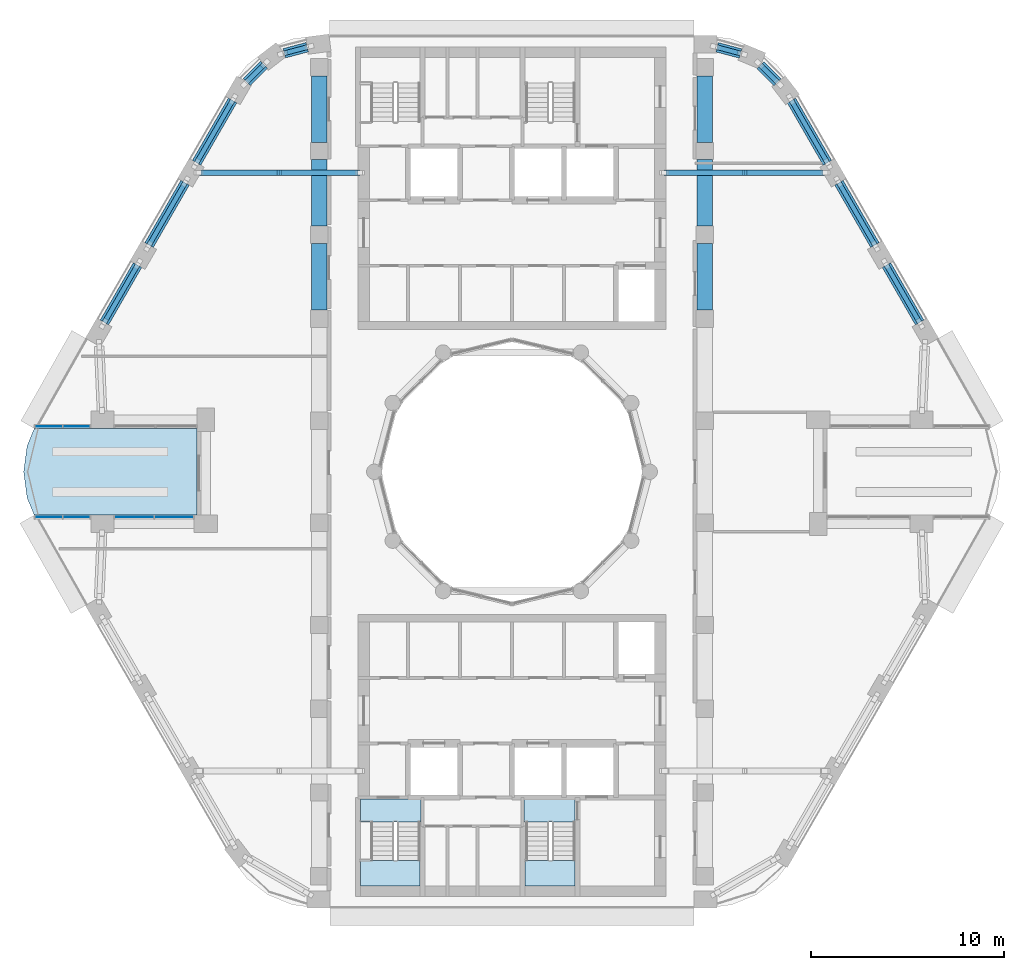
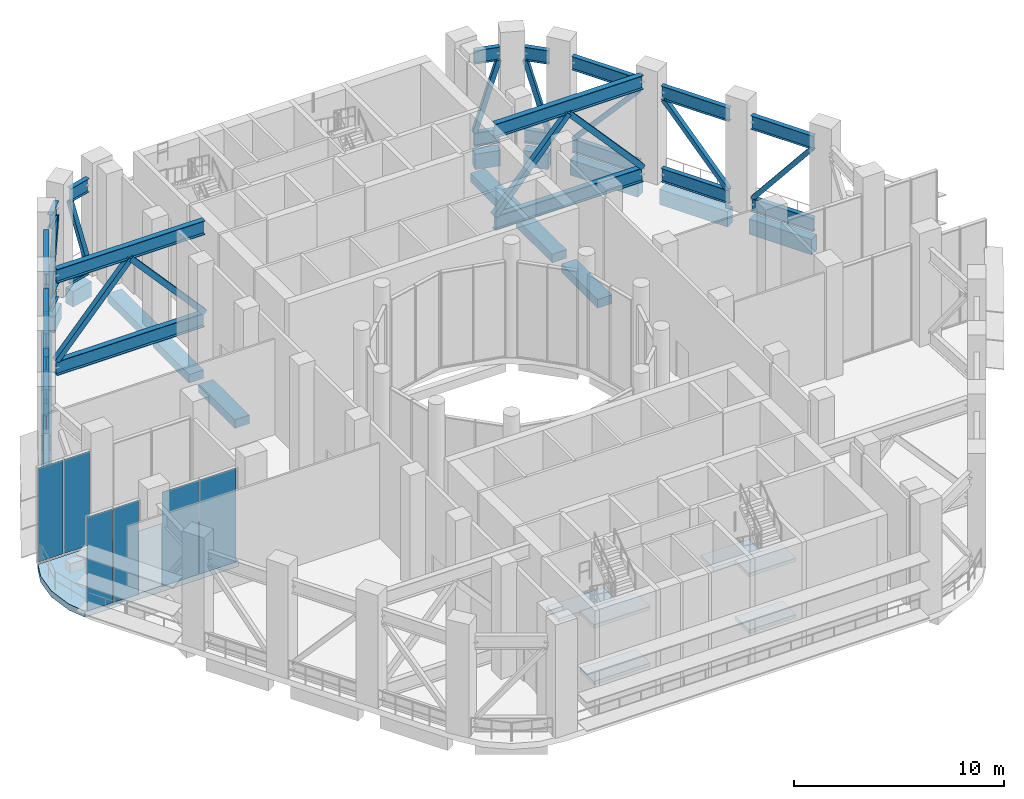
# One storey, part 6 of 19: 38 members, 16 beams, 7 slabs, 6 plates, 5 elements without a shape of their own.
"""IFC4 building model written with IfcOpenShell, lengths in metres."""

from ifc_helpers import new_model, si_unit, direction, frame, origin, origin_2d, place, context, subcontext, project, spatial, polyline, rectangle, hollow_rectangle, i_section, outline, extrude, material, layer, layer_set, material_profile, profile_set, type_object, element, aggregate, save


model = new_model("IFC4")

# Units and contexts
model_context = context("Model", 3, precision=1e-05, world=origin(), true_north=direction((0.0, 1.0)))
body_context = subcontext(model_context, "Body", "Model", "MODEL_VIEW")
ifc_project = project(units=[si_unit("LENGTHUNIT", "METRE"), si_unit("AREAUNIT", "SQUARE_METRE"), si_unit("VOLUMEUNIT", "CUBIC_METRE"), si_unit("PLANEANGLEUNIT", "RADIAN"), si_unit("MASSUNIT", "GRAM", prefix="KILO")], contexts=[model_context])

# Site, building, storey
site_placement = place(None, origin())
site = spatial("IfcSite", under=ifc_project, at=site_placement, CompositionType="ELEMENT")
building_placement = place(site_placement, origin())
building = spatial("IfcBuilding", under=site, at=building_placement, Name="Nakaniwa Court", CompositionType="ELEMENT")
storey_placement = place(building_placement, frame((0.0, 0.0, 219.60009765625)))
storey = spatial("IfcBuildingStorey", under=building, at=storey_placement, Name="S4", CompositionType="ELEMENT", Elevation=219.60009765625)

# Members
ifc_material_1 = material(Name="Steel Grade 350", Category="steel")
ifc_material_profile_1 = material_profile(ifc_material_1, i_section(OverallWidth=0.25, OverallDepth=0.7919921875, WebThickness=0.010009765625, FlangeThickness=0.01611328125, at=origin_2d()), Name="800WB122")
ifc_profile_set_1 = profile_set([ifc_material_profile_1], Name="Steel Grade 350")
member_type_1 = type_object("IfcMemberType", Name="BELT chord 800 WB122", PredefinedType="CHORD", material=ifc_profile_set_1)
for number, where, z_axis, x_axis, name in (
    (1, (69.3701171875, 102.044189453125, 0.39599609375), (-0.966320442624, -0.257341800272, 0.0), (0.257341800272, -0.966320442624, 0.0), "BELT CHORD BT-01-B"),
    (2, (69.3701171875, 102.044189453125, 5.19384765625), (-0.966320442624, -0.257341800272, 0.0), (0.257341800272, -0.966320442624, 0.0), "BELT CHORD BT-01-T"),
):
    element("IfcMember", number, at=place(storey_placement, frame(where, z_axis=z_axis, x_axis=x_axis)), inside=storey, type_object=member_type_1, Name=name, PredefinedType="CHORD", context=body_context, shape_type="SweptSolid", body=[
        extrude(i_section(OverallWidth=0.25, OverallDepth=0.7919921875, WebThickness=0.010009765625, FlangeThickness=0.01611328125, at=origin_2d()), origin(), (0.0, 0.0, 1.0), 1.2314453125),
    ])
for number, where, z_axis, x_axis, name in (
    (3, (67.124755859375, 101.131591796875, 0.39599609375), (-0.705943141011, -0.708268509578, 0.0), (0.708268509578, -0.705943141011, 0.0), "BELT CHORD BT-02-B"),
    (4, (67.124755859375, 101.131591796875, 5.19384765625), (-0.705943141011, -0.708268509578, 0.0), (0.708268509578, -0.705943141011, 0.0), "BELT CHORD BT-02-T"),
):
    element("IfcMember", number, at=place(storey_placement, frame(where, z_axis=z_axis, x_axis=x_axis)), inside=storey, type_object=member_type_1, Name=name, PredefinedType="CHORD", context=body_context, shape_type="SweptSolid", body=[
        extrude(i_section(OverallWidth=0.25, OverallDepth=0.7919921875, WebThickness=0.010009765625, FlangeThickness=0.01611328125, at=origin_2d()), origin(), (0.0, 0.0, 1.0), 1.259765625),
    ])
for number, where, z_axis, x_axis, name in (
    (5, (65.496826171875, 99.27978515625, 0.39599609375), (-0.499969460568, -0.866043035016, 0.0), (0.866043035016, -0.499969460568, 0.0), "BELT CHORD BT-03-B"),
    (6, (65.496826171875, 99.27978515625, 5.19384765625), (-0.499969460568, -0.866043035016, 0.0), (0.866043035016, -0.499969460568, 0.0), "BELT CHORD BT-03-T"),
    (7, (63.02880859375, 95.0048828125, 0.39599609375), (-0.500018470369, -0.866014739649, 0.0), (0.866014739649, -0.500018470369, 0.0), "BELT CHORD BT-04-B"),
    (8, (63.02880859375, 95.0048828125, 5.19384765625), (-0.500018470369, -0.866014739649, 0.0), (0.866014739649, -0.500018470369, 0.0), "BELT CHORD BT-04-T"),
):
    element("IfcMember", number, at=place(storey_placement, frame(where, z_axis=z_axis, x_axis=x_axis)), inside=storey, type_object=member_type_1, Name=name, PredefinedType="CHORD", context=body_context, shape_type="SweptSolid", body=[
        extrude(i_section(OverallWidth=0.25, OverallDepth=0.7919921875, WebThickness=0.010009765625, FlangeThickness=0.01611328125, at=origin_2d()), origin(), (0.0, 0.0, 1.0), 3.736083984375),
    ])
for number, where, z_axis, x_axis, name in (
    (9, (60.560791015625, 90.72998046875, 0.39599609375), (-0.500048133448, -0.865997612142, 0.0), (0.865997612142, -0.500048133448, 0.0), "BELT CHORD BT-05-B"),
    (10, (60.560791015625, 90.72998046875, 5.19384765625), (-0.500048133448, -0.865997612142, 0.0), (0.865997612142, -0.500048133448, 0.0), "BELT CHORD BT-05-T"),
    (11, (101.158935546875, 87.751708984375, 0.39599609375), (-0.500048133448, 0.865997612142, 0.0), (-0.865997612142, -0.500048133448, 0.0), "BELT CHORD BT-18-B"),
    (12, (101.158935546875, 87.751708984375, 5.19384765625), (-0.500048133448, 0.865997612142, 0.0), (-0.865997612142, -0.500048133448, 0.0), "BELT CHORD BT-18-T"),
):
    element("IfcMember", number, at=place(storey_placement, frame(where, z_axis=z_axis, x_axis=x_axis)), inside=storey, type_object=member_type_1, Name=name, PredefinedType="CHORD", context=body_context, shape_type="SweptSolid", body=[
        extrude(i_section(OverallWidth=0.25, OverallDepth=0.7919921875, WebThickness=0.010009765625, FlangeThickness=0.01611328125, at=origin_2d()), origin(), (0.0, 0.0, 1.0), 3.439208984375),
    ])
for number, where, z_axis, x_axis, name in (
    (13, (98.83935546875, 91.769287109375, 0.39599609375), (-0.500018470369, 0.866014739649, 0.0), (-0.866014739649, -0.500018470369, 0.0), "BELT CHORD BT-19-B"),
    (14, (98.83935546875, 91.769287109375, 5.19384765625), (-0.500018470369, 0.866014739649, 0.0), (-0.866014739649, -0.500018470369, 0.0), "BELT CHORD BT-19-T"),
):
    element("IfcMember", number, at=place(storey_placement, frame(where, z_axis=z_axis, x_axis=x_axis)), inside=storey, type_object=member_type_1, Name=name, PredefinedType="CHORD", context=body_context, shape_type="SweptSolid", body=[
        extrude(i_section(OverallWidth=0.25, OverallDepth=0.7919921875, WebThickness=0.010009765625, FlangeThickness=0.01611328125, at=origin_2d()), origin(), (0.0, 0.0, 1.0), 3.736083984375),
    ])
for number, where, z_axis, x_axis, name in (
    (15, (96.37109375, 96.044189453125, 0.39599609375), (-0.499988672538, 0.866031943599, 0.0), (-0.866031943599, -0.499988672538, 0.0), "BELT CHORD BT-20-B"),
    (16, (96.37109375, 96.044189453125, 5.19384765625), (-0.499988672538, 0.866031943599, 0.0), (-0.866031943599, -0.499988672538, 0.0), "BELT CHORD BT-20-T"),
):
    element("IfcMember", number, at=place(storey_placement, frame(where, z_axis=z_axis, x_axis=x_axis)), inside=storey, type_object=member_type_1, Name=name, PredefinedType="CHORD", context=body_context, shape_type="SweptSolid", body=[
        extrude(i_section(OverallWidth=0.25, OverallDepth=0.7919921875, WebThickness=0.010009765625, FlangeThickness=0.01611328125, at=origin_2d()), origin(), (0.0, 0.0, 1.0), 3.73095703125),
    ])
for number, where, z_axis, x_axis, name in (
    (17, (93.77587890625, 100.22802734375, 0.39599609375), (-0.705916034154, 0.708295526404, 0.0), (-0.708295526404, -0.705916034154, 0.0), "BELT CHORD BT-21-B"),
    (18, (93.77587890625, 100.22802734375, 5.19384765625), (-0.705916034154, 0.708295526404, 0.0), (-0.708295526404, -0.705916034154, 0.0), "BELT CHORD BT-21-T"),
):
    element("IfcMember", number, at=place(storey_placement, frame(where, z_axis=z_axis, x_axis=x_axis)), inside=storey, type_object=member_type_1, Name=name, PredefinedType="CHORD", context=body_context, shape_type="SweptSolid", body=[
        extrude(i_section(OverallWidth=0.25, OverallDepth=0.7919921875, WebThickness=0.010009765625, FlangeThickness=0.01611328125, at=origin_2d()), origin(), (0.0, 0.0, 1.0), 1.231201171875),
    ])
for number, where, z_axis, x_axis, name in (
    (19, (91.863037109375, 101.716064453125, 0.39599609375), (-0.966337757832, 0.257276772735, 0.0), (-0.257276772735, -0.966337757832, 0.0), "BELT CHORD BT-22-B"),
    (20, (91.863037109375, 101.716064453125, 5.19384765625), (-0.966337757832, 0.257276772735, 0.0), (-0.257276772735, -0.966337757832, 0.0), "BELT CHORD BT-22-T"),
):
    element("IfcMember", number, at=place(storey_placement, frame(where, z_axis=z_axis, x_axis=x_axis)), inside=storey, type_object=member_type_1, Name=name, PredefinedType="CHORD", context=body_context, shape_type="SweptSolid", body=[
        extrude(i_section(OverallWidth=0.25, OverallDepth=0.7919921875, WebThickness=0.010009765625, FlangeThickness=0.01611328125, at=origin_2d()), origin(), (0.0, 0.0, 1.0), 1.26025390625),
    ])
ifc_material_profile_2 = material_profile(ifc_material_1, hollow_rectangle(XDim=0.25, YDim=0.25, WallThickness=0.012451171875, at=origin_2d()), Name="BELT diagonal 250x250x12.5 SHS")
ifc_profile_set_2 = profile_set([ifc_material_profile_2], Name="Steel Grade 350")
member_type_2 = type_object("IfcMemberType", Name="BELT diagonal 250x250x12.5 SHS", PredefinedType="BRACE", material=ifc_profile_set_2)
member_1_placement = place(storey_placement, frame((69.331298828125, 102.033935546875, 0.7919921875), z_axis=(-0.266925144934, -0.071051174195, 0.961094531067), x_axis=(0.257227068359, -0.966350989705, 0.0)))
element("IfcMember", 21, at=member_1_placement, inside=storey, type_object=member_type_2, Name="BELT DIAGONAL BT-01-D", PredefinedType="BRACE", context=body_context, shape_type="SweptSolid", body=[
    extrude(hollow_rectangle(XDim=0.25, YDim=0.25, WallThickness=0.012451171875, at=origin_2d()), origin(), (0.0, 0.0, 1.0), 4.16796875),
])
member_2_placement = place(storey_placement, frame((67.096435546875, 101.103271484375, 4.7978515625), z_axis=(-0.19947379988, -0.200116886573, -0.959251497194), x_axis=(0.708243855887, -0.705967875047, 0.0)))
element("IfcMember", 22, at=member_2_placement, inside=storey, type_object=member_type_2, Name="BELT DIAGONAL BT-02-D", PredefinedType="BRACE", context=body_context, shape_type="SweptSolid", body=[
    extrude(hollow_rectangle(XDim=0.25, YDim=0.25, WallThickness=0.012451171875, at=origin_2d()), origin(), (0.0, 0.0, 1.0), 4.176025390625),
])
for number, where, z_axis, x_axis, name in (
    (23, (65.447021484375, 99.193359375, 0.7919921875), (-0.330928871887, -0.573128782128, 0.749672915909), (0.866003932398, -0.500037187688, 0.0), "BELT DIAGONAL BT-03-D"),
    (24, (62.978759765625, 94.91845703125, 4.7978515625), (-0.330888185123, -0.573137447415, -0.749684250413), (0.866033827394, -0.499985409597, 0.0), "BELT DIAGONAL BT-04-D"),
):
    element("IfcMember", number, at=place(storey_placement, frame(where, z_axis=z_axis, x_axis=x_axis)), inside=storey, type_object=member_type_2, Name=name, PredefinedType="BRACE", context=body_context, shape_type="SweptSolid", body=[
        extrude(hollow_rectangle(XDim=0.25, YDim=0.25, WallThickness=0.012451171875, at=origin_2d()), origin(), (0.0, 0.0, 1.0), 5.343505859375),
    ])
for number, where, z_axis, x_axis, name in (
    (25, (60.5107421875, 90.6435546875, 0.7919921875), (-0.314392570188, -0.544523761149, 0.77759320043), (0.86601739438, -0.500013872438, 0.0), "BELT DIAGONAL BT-05-D"),
    (26, (101.10888671875, 87.83837890625, 4.7978515625), (-0.314392570188, 0.544523761149, -0.77759320043), (-0.86601739438, -0.500013872438, 0.0), "BELT DIAGONAL BT-18-D"),
):
    element("IfcMember", number, at=place(storey_placement, frame(where, z_axis=z_axis, x_axis=x_axis)), inside=storey, type_object=member_type_2, Name=name, PredefinedType="BRACE", context=body_context, shape_type="SweptSolid", body=[
        extrude(hollow_rectangle(XDim=0.25, YDim=0.25, WallThickness=0.012451171875, at=origin_2d()), origin(), (0.0, 0.0, 1.0), 5.151611328125),
    ])
member_3_placement = place(storey_placement, frame((98.789306640625, 91.85595703125, 0.7919921875), z_axis=(-0.330888185123, 0.573137447415, 0.749684250413), x_axis=(-0.866033827394, -0.499985409597, 0.0)))
element("IfcMember", 27, at=member_3_placement, inside=storey, type_object=member_type_2, Name="BELT DIAGONAL BT-19-D", PredefinedType="BRACE", context=body_context, shape_type="SweptSolid", body=[
    extrude(hollow_rectangle(XDim=0.25, YDim=0.25, WallThickness=0.012451171875, at=origin_2d()), origin(), (0.0, 0.0, 1.0), 5.343505859375),
])
member_4_placement = place(storey_placement, frame((96.3212890625, 96.130859375, 4.7978515625), z_axis=(-0.330645694159, 0.572640669156, -0.750170706548), x_axis=(-0.866004808378, -0.500035670594, 0.0)))
element("IfcMember", 28, at=member_4_placement, inside=storey, type_object=member_type_2, Name="BELT DIAGONAL BT-20-D", PredefinedType="BRACE", context=body_context, shape_type="SweptSolid", body=[
    extrude(hollow_rectangle(XDim=0.25, YDim=0.25, WallThickness=0.012451171875, at=origin_2d()), origin(), (0.0, 0.0, 1.0), 5.33984375),
])
member_5_placement = place(storey_placement, frame((93.747802734375, 100.25634765625, 0.7919921875), z_axis=(-0.195053856284, 0.195581028869, 0.96109419637), x_axis=(-0.708060396582, -0.706151877993, 0.0)))
element("IfcMember", 29, at=member_5_placement, inside=storey, type_object=member_type_2, Name="BELT DIAGONAL BT-21-D", PredefinedType="BRACE", context=body_context, shape_type="SweptSolid", body=[
    extrude(hollow_rectangle(XDim=0.25, YDim=0.25, WallThickness=0.012451171875, at=origin_2d()), origin(), (0.0, 0.0, 1.0), 4.16796875),
])
member_6_placement = place(storey_placement, frame((91.82421875, 101.726318359375, 4.7978515625), z_axis=(-0.273021736767, 0.072669383041, -0.959259241301), x_axis=(-0.257211845159, -0.966355041747, 0.0)))
element("IfcMember", 30, at=member_6_placement, inside=storey, type_object=member_type_2, Name="BELT DIAGONAL BT-22-D", PredefinedType="BRACE", context=body_context, shape_type="SweptSolid", body=[
    extrude(hollow_rectangle(XDim=0.25, YDim=0.25, WallThickness=0.012451171875, at=origin_2d()), origin(), (0.0, 0.0, 1.0), 4.176025390625),
])

# Beams
ifc_material_2 = material(Name="Concrete C80/100", Category="concrete")
ifc_material_profile_3 = material_profile(ifc_material_2, rectangle(XDim=0.5, YDim=0.89990234375, at=origin_2d()), Name="Concrete C80/100 RC 500x900 spandrel beam")
ifc_profile_set_3 = profile_set([ifc_material_profile_3], Name="Concrete C80/100")
beam_type_1 = type_object("IfcBeamType", Name="Concrete C80/100 RC 500x900 spandrel beam", PredefinedType="BEAM", material=ifc_profile_set_3)
beam_1_placement = place(storey_placement, frame((69.3701171875, 102.044189453125, -0.800048828125), z_axis=(-0.966320442624, -0.257341800272, 0.0), x_axis=(0.257341800272, -0.966320442624, 0.0)))
element("IfcBeam", 31, at=beam_1_placement, inside=storey, type_object=beam_type_1, Name="SPANDREL BEAM", PredefinedType="BEAM", context=body_context, shape_type="SweptSolid", body=[
    extrude(rectangle(XDim=0.5, YDim=0.89990234375, at=origin_2d()), origin(), (0.0, 0.0, 1.0), 1.2314453125),
])
beam_2_placement = place(storey_placement, frame((67.124755859375, 101.131591796875, -0.800048828125), z_axis=(-0.705943141011, -0.708268509578, 0.0), x_axis=(0.708268509578, -0.705943141011, 0.0)))
element("IfcBeam", 32, at=beam_2_placement, inside=storey, type_object=beam_type_1, Name="SPANDREL BEAM", PredefinedType="BEAM", context=body_context, shape_type="SweptSolid", body=[
    extrude(rectangle(XDim=0.5, YDim=0.89990234375, at=origin_2d()), origin(), (0.0, 0.0, 1.0), 1.259765625),
])
for number, where, z_axis, x_axis, name in (
    (33, (65.496826171875, 99.27978515625, -0.800048828125), (-0.499969460568, -0.866043035016, 0.0), (0.866043035016, -0.499969460568, 0.0), "SPANDREL BEAM"),
    (34, (63.02880859375, 95.0048828125, -0.800048828125), (-0.500018470369, -0.866014739649, 0.0), (0.866014739649, -0.500018470369, 0.0), "SPANDREL BEAM"),
):
    element("IfcBeam", number, at=place(storey_placement, frame(where, z_axis=z_axis, x_axis=x_axis)), inside=storey, type_object=beam_type_1, Name=name, PredefinedType="BEAM", context=body_context, shape_type="SweptSolid", body=[
        extrude(rectangle(XDim=0.5, YDim=0.89990234375, at=origin_2d()), origin(), (0.0, 0.0, 1.0), 3.736083984375),
    ])
for number, where, z_axis, x_axis, name in (
    (35, (60.560791015625, 90.72998046875, -0.800048828125), (-0.500048133448, -0.865997612142, 0.0), (0.865997612142, -0.500048133448, 0.0), "SPANDREL BEAM"),
    (36, (101.158935546875, 87.751708984375, -0.800048828125), (-0.500048133448, 0.865997612142, 0.0), (-0.865997612142, -0.500048133448, 0.0), "SPANDREL BEAM"),
):
    element("IfcBeam", number, at=place(storey_placement, frame(where, z_axis=z_axis, x_axis=x_axis)), inside=storey, type_object=beam_type_1, Name=name, PredefinedType="BEAM", context=body_context, shape_type="SweptSolid", body=[
        extrude(rectangle(XDim=0.5, YDim=0.89990234375, at=origin_2d()), origin(), (0.0, 0.0, 1.0), 3.439208984375),
    ])
beam_3_placement = place(storey_placement, frame((98.83935546875, 91.769287109375, -0.800048828125), z_axis=(-0.500018470369, 0.866014739649, 0.0), x_axis=(-0.866014739649, -0.500018470369, 0.0)))
element("IfcBeam", 37, at=beam_3_placement, inside=storey, type_object=beam_type_1, Name="SPANDREL BEAM", PredefinedType="BEAM", context=body_context, shape_type="SweptSolid", body=[
    extrude(rectangle(XDim=0.5, YDim=0.89990234375, at=origin_2d()), origin(), (0.0, 0.0, 1.0), 3.736083984375),
])
beam_4_placement = place(storey_placement, frame((96.37109375, 96.044189453125, -0.800048828125), z_axis=(-0.499988672538, 0.866031943599, 0.0), x_axis=(-0.866031943599, -0.499988672538, 0.0)))
element("IfcBeam", 38, at=beam_4_placement, inside=storey, type_object=beam_type_1, Name="SPANDREL BEAM", PredefinedType="BEAM", context=body_context, shape_type="SweptSolid", body=[
    extrude(rectangle(XDim=0.5, YDim=0.89990234375, at=origin_2d()), origin(), (0.0, 0.0, 1.0), 3.73095703125),
])
beam_5_placement = place(storey_placement, frame((93.77587890625, 100.22802734375, -0.800048828125), z_axis=(-0.705916034154, 0.708295526404, 0.0), x_axis=(-0.708295526404, -0.705916034154, 0.0)))
element("IfcBeam", 39, at=beam_5_placement, inside=storey, type_object=beam_type_1, Name="SPANDREL BEAM", PredefinedType="BEAM", context=body_context, shape_type="SweptSolid", body=[
    extrude(rectangle(XDim=0.5, YDim=0.89990234375, at=origin_2d()), origin(), (0.0, 0.0, 1.0), 1.231201171875),
])
beam_6_placement = place(storey_placement, frame((91.863037109375, 101.716064453125, -0.800048828125), z_axis=(-0.966337757832, 0.257276772735, 0.0), x_axis=(-0.257276772735, -0.966337757832, 0.0)))
element("IfcBeam", 40, at=beam_6_placement, inside=storey, type_object=beam_type_1, Name="SPANDREL BEAM", PredefinedType="BEAM", context=body_context, shape_type="SweptSolid", body=[
    extrude(rectangle(XDim=0.5, YDim=0.89990234375, at=origin_2d()), origin(), (0.0, 0.0, 1.0), 1.26025390625),
])
ifc_material_profile_4 = material_profile(ifc_material_2, rectangle(XDim=0.800048828125, YDim=0.5, at=origin_2d()), Name="Concrete C80/100 RC 800x500 ring beam")
ifc_profile_set_4 = profile_set([ifc_material_profile_4], Name="Concrete C80/100")
beam_type_2 = type_object("IfcBeamType", Name="Concrete C80/100 RC 800x500 ring beam", PredefinedType="BEAM", material=ifc_profile_set_4)
beam_7_placement = place(storey_placement, frame((90.0, 88.39990234375, -0.60009765625), z_axis=(0.0, 1.0, 0.0), x_axis=(-1.0, 0.0, 0.0)))
element("IfcBeam", 41, at=beam_7_placement, inside=storey, type_object=beam_type_2, Name="RING BEAM", PredefinedType="BEAM", context=body_context, shape_type="SweptSolid", body=[
    extrude(rectangle(XDim=0.800048828125, YDim=0.5, at=origin_2d()), origin(), (0.0, 0.0, 1.0), 3.4501953125),
])
for number, where, z_axis, x_axis, name in (
    (42, (90.0, 92.75, -0.60009765625), (0.0, 1.0, 0.0), (-1.0, 0.0, 0.0), "RING BEAM"),
    (43, (90.0, 97.10009765625, -0.60009765625), (0.0, 1.0, 0.0), (-1.0, 0.0, 0.0), "RING BEAM"),
    (44, (70.0, 100.550048828125, -0.60009765625), (0.0, -1.0, 0.0), (1.0, 0.0, 0.0), "RING BEAM"),
    (45, (70.0, 96.199951171875, -0.60009765625), (0.0, -1.0, 0.0), (1.0, 0.0, 0.0), "RING BEAM"),
):
    element("IfcBeam", number, at=place(storey_placement, frame(where, z_axis=z_axis, x_axis=x_axis)), inside=storey, type_object=beam_type_2, Name=name, PredefinedType="BEAM", context=body_context, shape_type="SweptSolid", body=[
        extrude(rectangle(XDim=0.800048828125, YDim=0.5, at=origin_2d()), origin(), (0.0, 0.0, 1.0), 3.449951171875),
    ])
beam_8_placement = place(storey_placement, frame((70.0, 91.85009765625, -0.60009765625), z_axis=(0.0, -1.0, 0.0), x_axis=(1.0, 0.0, 0.0)))
element("IfcBeam", 46, at=beam_8_placement, inside=storey, type_object=beam_type_2, Name="RING BEAM", PredefinedType="BEAM", context=body_context, shape_type="SweptSolid", body=[
    extrude(rectangle(XDim=0.800048828125, YDim=0.5, at=origin_2d()), origin(), (0.0, 0.0, 1.0), 3.4501953125),
])

# Members
ifc_material_profile_5 = material_profile(ifc_material_1, i_section(OverallWidth=0.300048828125, OverallDepth=0.81591796875, WebThickness=0.010009765625, FlangeThickness=0.028076171875, at=origin_2d()), Name="800WB192")
ifc_profile_set_5 = profile_set([ifc_material_profile_5], Name="Steel Grade 350")
member_type_3 = type_object("IfcMemberType", Name="OUTRIGGER chord 800 WB192", PredefinedType="CHORD", material=ifc_profile_set_5)
for number, where, z_axis, x_axis, name in (
    (47, (88.0, 95.524658203125, 0.407958984375), (1.0, 0.0, 0.0), (0.0, 1.0, 0.0), "OUTRIGGER CHORD OT-01-B"),
    (48, (88.0, 95.524658203125, 5.781982421875), (1.0, 0.0, 0.0), (0.0, 1.0, 0.0), "OUTRIGGER CHORD OT-01-T"),
    (49, (72.0, 95.524658203125, 0.407958984375), (-1.0, 0.0, 0.0), (0.0, -1.0, 0.0), "OUTRIGGER CHORD OT-02-B"),
    (50, (72.0, 95.524658203125, 5.781982421875), (-1.0, 0.0, 0.0), (0.0, -1.0, 0.0), "OUTRIGGER CHORD OT-02-T"),
):
    element("IfcMember", number, at=place(storey_placement, frame(where, z_axis=z_axis, x_axis=x_axis)), inside=storey, type_object=member_type_3, Name=name, PredefinedType="CHORD", context=body_context, shape_type="SweptSolid", body=[
        extrude(i_section(OverallWidth=0.300048828125, OverallDepth=0.81591796875, WebThickness=0.010009765625, FlangeThickness=0.028076171875, at=origin_2d()), origin(), (0.0, 0.0, 1.0), 8.151611328125),
    ])
ifc_material_profile_6 = material_profile(ifc_material_1, hollow_rectangle(XDim=0.300048828125, YDim=0.300048828125, WallThickness=0.01611328125, at=origin_2d()), Name="OUTRIGGER diagonal 300x300x16 SHS")
ifc_profile_set_6 = profile_set([ifc_material_profile_6], Name="Steel Grade 350")
member_type_4 = type_object("IfcMemberType", Name="OUTRIGGER diagonal 300x300x16 SHS", PredefinedType="BRACE", material=ifc_profile_set_6)
member_7_placement = place(storey_placement, frame((88.0, 95.524658203125, 0.81591796875), z_axis=(0.666556732169, 0.0, 0.745454306313), x_axis=(0.0, 1.0, 0.0)))
element("IfcMember", 51, at=member_7_placement, inside=storey, type_object=member_type_4, Name="OUTRIGGER DIAGONAL OT-01-D1", PredefinedType="BRACE", context=body_context, shape_type="SweptSolid", body=[
    extrude(hollow_rectangle(XDim=0.300048828125, YDim=0.300048828125, WallThickness=0.01611328125, at=origin_2d()), origin(), (0.0, 0.0, 1.0), 6.114501953125),
])
member_8_placement = place(storey_placement, frame((92.07568359375, 95.524658203125, 5.3740234375), z_axis=(0.666578919314, 0.0, -0.745434466822), x_axis=(0.0, 1.0, 0.0)))
element("IfcMember", 52, at=member_8_placement, inside=storey, type_object=member_type_4, Name="OUTRIGGER DIAGONAL OT-01-D2", PredefinedType="BRACE", context=body_context, shape_type="SweptSolid", body=[
    extrude(hollow_rectangle(XDim=0.300048828125, YDim=0.300048828125, WallThickness=0.01611328125, at=origin_2d()), origin(), (0.0, 0.0, 1.0), 6.11474609375),
])
member_9_placement = place(storey_placement, frame((72.0, 95.524658203125, 0.81591796875), z_axis=(-0.666556732169, 0.0, 0.745454306313), x_axis=(0.0, -1.0, 0.0)))
element("IfcMember", 53, at=member_9_placement, inside=storey, type_object=member_type_4, Name="OUTRIGGER DIAGONAL OT-02-D1", PredefinedType="BRACE", context=body_context, shape_type="SweptSolid", body=[
    extrude(hollow_rectangle(XDim=0.300048828125, YDim=0.300048828125, WallThickness=0.01611328125, at=origin_2d()), origin(), (0.0, 0.0, 1.0), 6.114501953125),
])
member_10_placement = place(storey_placement, frame((67.92431640625, 95.524658203125, 5.3740234375), z_axis=(-0.666578919314, 0.0, -0.745434466822), x_axis=(0.0, -1.0, 0.0)))
element("IfcMember", 54, at=member_10_placement, inside=storey, type_object=member_type_4, Name="OUTRIGGER DIAGONAL OT-02-D2", PredefinedType="BRACE", context=body_context, shape_type="SweptSolid", body=[
    extrude(hollow_rectangle(XDim=0.300048828125, YDim=0.300048828125, WallThickness=0.01611328125, at=origin_2d()), origin(), (0.0, 0.0, 1.0), 6.11474609375),
])

# Curtain wall, plates
ifc_material_3 = material(Name="Black anodised aluminium frame with dark low-E laminated double glazing", Category="aluminium")
ifc_layer_1 = layer(ifc_material_3, 0.199951171875)
ifc_layer_set_1 = layer_set([ifc_layer_1], Name="Black anodised aluminium frame with dark low-E laminated double glazing")
curtain_wall_type = type_object("IfcCurtainWallType", Name="Amenity and sky level curtain wall", PredefinedType="NOTDEFINED", material=ifc_layer_set_1)
curtain_wall_1_placement = place(storey_placement, origin())
curtain_wall_1 = element("IfcCurtainWall", 55, at=curtain_wall_1_placement, inside=storey, type_object=curtain_wall_type, Name="S4 curtain wall CW3 15", PredefinedType="NOTDEFINED")
ifc_material_4 = material(Name="Dark toughened glass", Category="glass")
ifc_layer_2 = layer(ifc_material_4, 0.006, Name="Outer pane")
ifc_material_5 = material(Name="Argon filled cavity")
ifc_layer_3 = layer(ifc_material_5, 0.016, Name="Cavity")
ifc_material_6 = material(Name="Dark laminated safety glass", Category="glass")
ifc_layer_4 = layer(ifc_material_6, 0.006, Name="Inner pane")
ifc_layer_set_2 = layer_set([ifc_layer_2, ifc_layer_3, ifc_layer_4], Name="Dark low-E laminated double glazing")
plate_type = type_object("IfcPlateType", Name="Amenity and sky level curtain wall glass panel", PredefinedType="CURTAIN_PANEL", material=ifc_layer_set_2)
plate_1_placement = place(storey_placement, frame((55.950439453125, 82.35009765625, 0.054931640625), z_axis=(0.0, 0.0, 1.0), x_axis=(1.0, 0.0, 0.0)))
plate_1 = element("IfcPlate", 56, at=plate_1_placement, type_object=plate_type, Name="CW3 panel 1.1", PredefinedType="CURTAIN_PANEL", context=body_context, shape_type="SweptSolid", body=[
    extrude(rectangle(XDim=1.386474609375, YDim=0.028076171875, at=origin_2d()), origin(), (0.0, 0.0, 1.0), 5.47998046875),
])
plate_2_placement = place(storey_placement, frame((57.391845703125, 82.35009765625, 0.054931640625), z_axis=(0.0, 0.0, 1.0), x_axis=(1.0, 0.0, 0.0)))
plate_2 = element("IfcPlate", 57, at=plate_2_placement, type_object=plate_type, Name="CW3 panel 2.1", PredefinedType="CURTAIN_PANEL", context=body_context, shape_type="SweptSolid", body=[
    extrude(rectangle(XDim=1.386474609375, YDim=0.028076171875, at=origin_2d()), origin(), (0.0, 0.0, 1.0), 5.47998046875),
])
aggregate(curtain_wall_1, [plate_1, plate_2])

curtain_wall_2_placement = place(storey_placement, origin())
curtain_wall_2 = element("IfcCurtainWall", 58, at=curtain_wall_2_placement, inside=storey, type_object=curtain_wall_type, Name="S4 curtain wall CW3 18", PredefinedType="NOTDEFINED")
plate_3_placement = place(storey_placement, frame((62.447509765625, 77.64990234375, 0.054931640625), z_axis=(0.0, 0.0, 1.0), x_axis=(-1.0, 0.0, 0.0)))
plate_3 = element("IfcPlate", 59, at=plate_3_placement, type_object=plate_type, Name="CW3 panel 1.1", PredefinedType="CURTAIN_PANEL", context=body_context, shape_type="SweptSolid", body=[
    extrude(rectangle(XDim=2.003662109375, YDim=0.028076171875, at=origin_2d()), origin(), (0.0, 0.0, 1.0), 5.47998046875),
])
plate_4_placement = place(storey_placement, frame((60.388916015625, 77.64990234375, 0.054931640625), z_axis=(0.0, 0.0, 1.0), x_axis=(-1.0, 0.0, 0.0)))
plate_4 = element("IfcPlate", 60, at=plate_4_placement, type_object=plate_type, Name="CW3 panel 2.1", PredefinedType="CURTAIN_PANEL", context=body_context, shape_type="SweptSolid", body=[
    extrude(rectangle(XDim=2.003662109375, YDim=0.028076171875, at=origin_2d()), origin(), (0.0, 0.0, 1.0), 5.47998046875),
])
aggregate(curtain_wall_2, [plate_3, plate_4])

curtain_wall_3_placement = place(storey_placement, origin())
curtain_wall_3 = element("IfcCurtainWall", 61, at=curtain_wall_3_placement, inside=storey, type_object=curtain_wall_type, Name="S4 curtain wall CW3 19", PredefinedType="NOTDEFINED")
plate_5_placement = place(storey_placement, frame((57.391845703125, 77.64990234375, 0.054931640625), z_axis=(0.0, 0.0, 1.0), x_axis=(-1.0, 0.0, 0.0)))
plate_5 = element("IfcPlate", 62, at=plate_5_placement, type_object=plate_type, Name="CW3 panel 1.1", PredefinedType="CURTAIN_PANEL", context=body_context, shape_type="SweptSolid", body=[
    extrude(rectangle(XDim=1.386474609375, YDim=0.028076171875, at=origin_2d()), origin(), (0.0, 0.0, 1.0), 5.47998046875),
])
plate_6_placement = place(storey_placement, frame((55.950439453125, 77.64990234375, 0.054931640625), z_axis=(0.0, 0.0, 1.0), x_axis=(-1.0, 0.0, 0.0)))
plate_6 = element("IfcPlate", 63, at=plate_6_placement, type_object=plate_type, Name="CW3 panel 2.1", PredefinedType="CURTAIN_PANEL", context=body_context, shape_type="SweptSolid", body=[
    extrude(rectangle(XDim=1.386474609375, YDim=0.028076171875, at=origin_2d()), origin(), (0.0, 0.0, 1.0), 5.47998046875),
])
aggregate(curtain_wall_3, [plate_5, plate_6])

# Slab
ifc_layer_5 = layer(ifc_material_2, 0.35009765625)
ifc_layer_set_3 = layer_set([ifc_layer_5], Name="Concrete C80/100")
slab_type_1 = type_object("IfcSlabType", Name="Concrete C80/100 post tensioned floor slab 350", PredefinedType="FLOOR", material=ifc_layer_set_3)
slab_1_placement = place(storey_placement, frame((0.0, 0.0, -0.35009765625)))
element("IfcSlab", 64, at=slab_1_placement, inside=storey, type_object=slab_type_1, Name="BRIDGING TERRACE", PredefinedType="FLOOR", context=body_context, shape_type="SweptSolid", body=[
    extrude(outline(polyline([(55.2021484375, 82.25), (54.82763671875, 81.345947265625), (54.650390625, 80.0), (54.82763671875, 78.654052734375), (55.2021484375, 77.75), (63.650390625, 77.75), (63.650390625, 82.25), (55.2021484375, 82.25)])), origin(), (0.0, 0.0, 1.0), 0.35009765625),
])

# Stair, slabs
stair_type = type_object("IfcStairType", Name="Dog leg stair 1200 wide 36 risers", PredefinedType="HALF_TURN_STAIR", material=ifc_material_2)
stair_1_placement = place(storey_placement, origin())
stair_1 = element("IfcStair", 65, at=stair_1_placement, inside=storey, type_object=stair_type, Name="S4 Stair ST3", PredefinedType="HALF_TURN_STAIR")
ifc_layer_6 = layer(ifc_material_2, 0.199951171875)
ifc_layer_set_4 = layer_set([ifc_layer_6], Name="Concrete C80/100")
slab_type_2 = type_object("IfcSlabType", Name="Stair landing concrete", PredefinedType="LANDING", material=ifc_layer_set_4)
slab_2_placement = place(storey_placement, frame((0.0, 0.0, 1.449951171875)))
slab_2 = element("IfcSlab", 66, at=slab_2_placement, type_object=slab_type_2, Name="ST3 landing 1", PredefinedType="LANDING", context=body_context, shape_type="SweptSolid", body=[
    extrude(outline(polyline([(75.22509765625, 58.5), (75.22509765625, 59.824951171875), (72.125, 59.824951171875), (72.125, 58.5), (75.22509765625, 58.5)])), origin(), (0.0, 0.0, 1.0), 0.199951171875),
])
slab_3_placement = place(storey_placement, frame((0.0, 0.0, 3.099853515625)))
slab_3 = element("IfcSlab", 67, at=slab_3_placement, type_object=slab_type_2, Name="ST3 landing 2", PredefinedType="LANDING", context=body_context, shape_type="SweptSolid", body=[
    extrude(outline(polyline([(75.27490234375, 61.824951171875), (75.27490234375, 63.02490234375), (72.125, 63.02490234375), (72.125, 61.824951171875), (75.27490234375, 61.824951171875)])), origin(), (0.0, 0.0, 1.0), 0.199951171875),
])
slab_4_placement = place(storey_placement, frame((0.0, 0.0, 4.75)))
slab_4 = element("IfcSlab", 68, at=slab_4_placement, type_object=slab_type_2, Name="ST3 landing 3", PredefinedType="LANDING", context=body_context, shape_type="SweptSolid", body=[
    extrude(outline(polyline([(75.22509765625, 58.5), (75.22509765625, 59.824951171875), (72.125, 59.824951171875), (72.125, 58.5), (75.22509765625, 58.5)])), origin(), (0.0, 0.0, 1.0), 0.199951171875),
])
aggregate(stair_1, [slab_2, slab_3, slab_4])

stair_2_placement = place(storey_placement, origin())
stair_2 = element("IfcStair", 69, at=stair_2_placement, inside=storey, type_object=stair_type, Name="S4 Stair ST4", PredefinedType="HALF_TURN_STAIR")
slab_5_placement = place(storey_placement, frame((0.0, 0.0, 1.449951171875)))
slab_5 = element("IfcSlab", 70, at=slab_5_placement, type_object=slab_type_2, Name="ST4 landing 1", PredefinedType="LANDING", context=body_context, shape_type="SweptSolid", body=[
    extrude(outline(polyline([(83.27490234375, 58.5), (83.27490234375, 59.824951171875), (80.675048828125, 59.824951171875), (80.675048828125, 58.5), (83.27490234375, 58.5)])), origin(), (0.0, 0.0, 1.0), 0.199951171875),
])
slab_6_placement = place(storey_placement, frame((0.0, 0.0, 3.099853515625)))
slab_6 = element("IfcSlab", 71, at=slab_6_placement, type_object=slab_type_2, Name="ST4 landing 2", PredefinedType="LANDING", context=body_context, shape_type="SweptSolid", body=[
    extrude(outline(polyline([(83.27490234375, 61.824951171875), (83.27490234375, 63.02490234375), (80.625, 63.02490234375), (80.625, 61.824951171875), (83.27490234375, 61.824951171875)])), origin(), (0.0, 0.0, 1.0), 0.199951171875),
])
slab_7_placement = place(storey_placement, frame((0.0, 0.0, 4.75)))
slab_7 = element("IfcSlab", 72, at=slab_7_placement, type_object=slab_type_2, Name="ST4 landing 3", PredefinedType="LANDING", context=body_context, shape_type="SweptSolid", body=[
    extrude(outline(polyline([(83.27490234375, 58.5), (83.27490234375, 59.824951171875), (80.675048828125, 59.824951171875), (80.675048828125, 58.5), (83.27490234375, 58.5)])), origin(), (0.0, 0.0, 1.0), 0.199951171875),
])
aggregate(stair_2, [slab_5, slab_6, slab_7])

save(model, "model.ifc")
